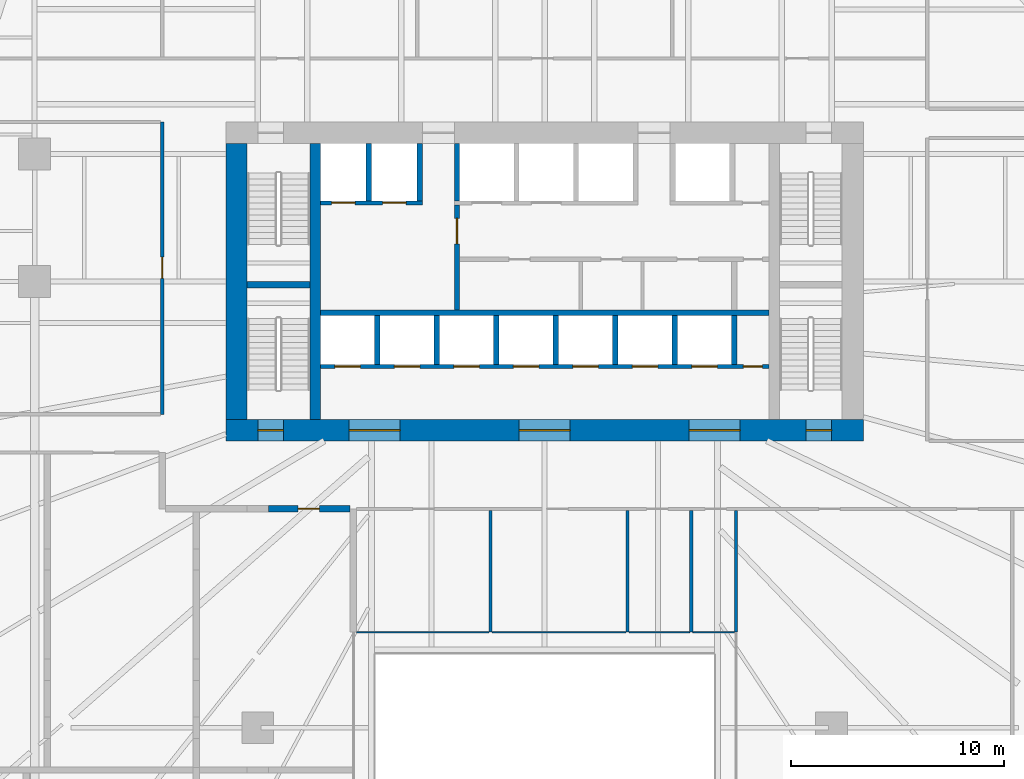
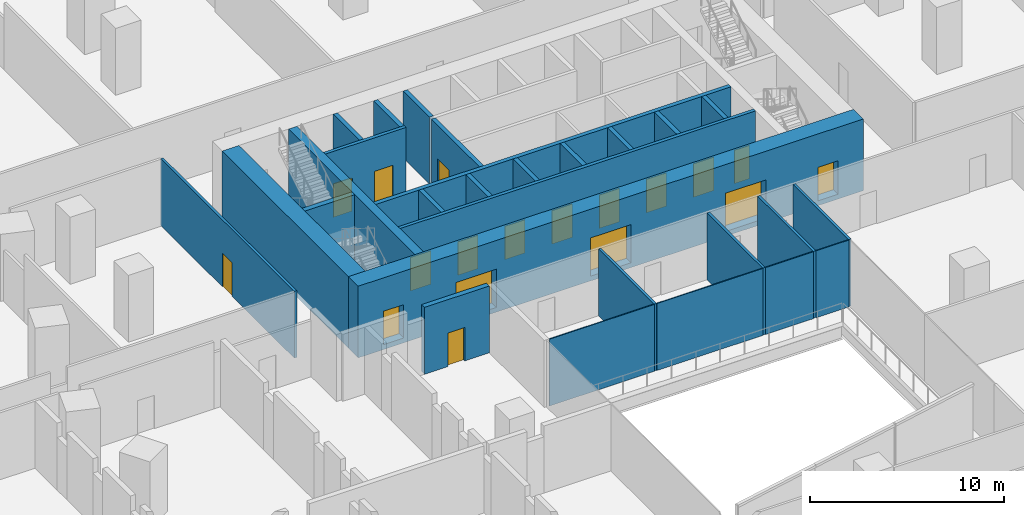
# One storey, part 16 of 33: 28 walls, 18 doors, 18 openings.
"""IFC4 building model written with IfcOpenShell, lengths in metres."""

from ifc_helpers import new_model, si_unit, direction, frame, frame_2d, origin, place, context, subcontext, project, spatial, rectangle, extrude, material, layer, layer_set, type_object, element, fill, save


model = new_model("IFC4")

# Units and contexts
model_context = context("Model", 3, precision=1e-05, world=origin(), true_north=direction((0.0, 1.0)))
body_context = subcontext(model_context, "Body", "Model", "MODEL_VIEW")
ifc_project = project(units=[si_unit("LENGTHUNIT", "METRE"), si_unit("AREAUNIT", "SQUARE_METRE"), si_unit("VOLUMEUNIT", "CUBIC_METRE"), si_unit("PLANEANGLEUNIT", "RADIAN"), si_unit("MASSUNIT", "GRAM", prefix="KILO")], contexts=[model_context])

# Site, building, storey
site_placement = place(None, origin())
site = spatial("IfcSite", under=ifc_project, at=site_placement, CompositionType="ELEMENT")
building_placement = place(site_placement, origin())
building = spatial("IfcBuilding", under=site, at=building_placement, Name="Isthmus Gate Tower", CompositionType="ELEMENT")
storey_placement = place(building_placement, frame((0.0, 0.0, 22.5)))
storey = spatial("IfcBuildingStorey", under=building, at=storey_placement, Name="L03", CompositionType="ELEMENT", Elevation=22.5)

# Wall, opening, door
ifc_material_1 = material(Name="Double-leaf gypsum board with mineral wool, resilient mounted")
ifc_layer_1 = layer(ifc_material_1, 0.300048828125)
ifc_layer_set_1 = layer_set([ifc_layer_1], Name="Acoustic studio wall 300 double leaf")
wall_type_1 = type_object("IfcWallType", Name="Acoustic studio wall 300 double leaf", PredefinedType="PARTITIONING", material=ifc_layer_set_1)
wall_1_placement = place(storey_placement, frame((-13.0, -3.199951171875, 0.0), z_axis=(0.0, 0.0, 1.0), x_axis=(1.0, 0.0, 0.0)))
wall_1 = element("IfcWall", 1, at=wall_1_placement, inside=storey, type_object=wall_type_1, Name="Acoustic studio wall", PredefinedType="PARTITIONING", context=body_context, shape_type="SweptSolid", body=[
    extrude(rectangle(XDim=3.85009765625, YDim=0.300048828125, at=frame_2d((1.925048828125, 0.0))), origin(), (0.0, 0.0, 1.0), 4.199951171875),
])
opening_1_placement = place(wall_1_placement, frame((1.39990234375, 0.0, 0.0)))
opening_1 = element("IfcOpeningElement", 2, at=opening_1_placement, cuts=wall_1, Name="Opening DP03-13", PredefinedType="OPENING", context=body_context, shape_type="SweptSolid", body=[
    extrude(rectangle(XDim=1.0, YDim=2.10009765625, at=frame_2d((0.5, 1.050048828125))), frame((0.0, 0.159912109375, 0.0), z_axis=(0.0, -1.0, 0.0), x_axis=(1.0, 0.0, 0.0)), (0.0, 0.0, 1.0), 0.320068359375),
])
ifc_material_2 = material(Name="Hollow metal frame with solid-core timber leaf", Category="wood")
door_type_1 = type_object("IfcDoorType", Name="Single swing door 1000 x 2100", OperationType="SINGLE_SWING_LEFT", PredefinedType="DOOR", material=ifc_material_2)
door_1_placement = place(opening_1_placement, origin())
door_1 = element("IfcDoor", 3, at=door_1_placement, inside=storey, type_object=door_type_1, Name="Door DP03-13", OperationType="SINGLE_SWING_LEFT", OverallHeight=2.10009765625, OverallWidth=1.0, PredefinedType="DOOR", context=body_context, shape_type="SweptSolid", body=[
    extrude(rectangle(XDim=1.0, YDim=2.10009765625, at=frame_2d((0.5, 1.050048828125))), frame((0.0, 0.02490234375, 0.0), z_axis=(0.0, -1.0, 0.0), x_axis=(1.0, 0.0, 0.0)), (0.0, 0.0, 1.0), 0.050048828125),
])
fill(opening_1, door_1)

ifc_material_3 = material(Name="Fire-rated blockwork masonry, 15 MPa", Category="masonry")
ifc_layer_2 = layer(ifc_material_3, 0.25)
ifc_layer_set_2 = layer_set([ifc_layer_2], Name="FIRE-FIGHTING LOBBY WALL 250 90 MIN")
wall_type_2 = type_object("IfcWallType", Name="FIRE-FIGHTING LOBBY WALL 250 90 MIN", PredefinedType="PARTITIONING", material=ifc_layer_set_2)
wall_2_placement = place(storey_placement, frame((-4.125, 6.14990234375, 0.0), z_axis=(0.0, 0.0, 1.0), x_axis=(0.0, 1.0, 0.0)))
wall_2 = element("IfcWall", 4, at=wall_2_placement, inside=storey, type_object=wall_type_2, Name="L03 FIRE-FIGHTING LOBBY WALL 250 90 MIN", PredefinedType="PARTITIONING", context=body_context, shape_type="SweptSolid", body=[
    extrude(rectangle(XDim=4.9501953125, YDim=0.25, at=frame_2d((2.47509765625, 0.0))), origin(), (0.0, 0.0, 1.0), 4.199951171875),
])
opening_2_placement = place(wall_2_placement, frame((3.125, 0.0, 0.0)))
opening_2 = element("IfcOpeningElement", 5, at=opening_2_placement, cuts=wall_2, Name="Opening DC-A04-01", PredefinedType="OPENING", context=body_context, shape_type="SweptSolid", body=[
    extrude(rectangle(XDim=1.199951171875, YDim=2.10009765625, at=frame_2d((0.60009765625, 1.050048828125))), frame((0.0, 0.135009765625, 0.0), z_axis=(0.0, -1.0, 0.0), x_axis=(1.0, 0.0, 0.0)), (0.0, 0.0, 1.0), 0.27001953125),
])
ifc_material_4 = material(Name="Steel door leaf, fire-rated", Category="steel")
door_type_2 = type_object("IfcDoorType", Name="LOBBY FIRE DOOR 1200 X 2100 90 MIN", OperationType="DOUBLE_DOOR_SINGLE_SWING", PredefinedType="DOOR", material=ifc_material_4)
door_2_placement = place(opening_2_placement, origin())
door_2 = element("IfcDoor", 6, at=door_2_placement, inside=storey, type_object=door_type_2, Name="Fire-fighting Lobby Door", OperationType="SINGLE_SWING_LEFT", OverallHeight=2.10009765625, OverallWidth=1.199951171875, PredefinedType="DOOR", context=body_context, shape_type="SweptSolid", body=[
    extrude(rectangle(XDim=1.199951171875, YDim=2.10009765625, at=frame_2d((0.60009765625, 1.050048828125))), frame((0.0, 0.02490234375, 0.0), z_axis=(0.0, -1.0, 0.0), x_axis=(1.0, 0.0, 0.0)), (0.0, 0.0, 1.0), 0.050048828125),
])
fill(opening_2, door_2)

# Walls
ifc_material_5 = material(Name="Fire-rated laminated glass in steel frame", Category="steel")
ifc_layer_3 = layer(ifc_material_5, 0.06005859375)
ifc_layer_set_3 = layer_set([ifc_layer_3], Name="Fire-rated glazed atrium screen 60")
wall_type_3 = type_object("IfcWallType", Name="Fire-rated glazed atrium screen 60", PredefinedType="PARTITIONING", material=ifc_layer_set_3)
wall_3_placement = place(storey_placement, frame((-8.85009765625, -9.0, 0.0), z_axis=(0.0, 0.0, 1.0), x_axis=(1.0, 0.0, 0.0)))
element("IfcWall", 7, at=wall_3_placement, inside=storey, type_object=wall_type_3, Name="Atrium screen", PredefinedType="PARTITIONING", context=body_context, shape_type="SweptSolid", body=[
    extrude(rectangle(XDim=6.22509765625, YDim=0.06005859375, at=frame_2d((3.112548828125, 0.0))), origin(), (0.0, 0.0, 1.0), 4.199951171875),
])
wall_4_placement = place(storey_placement, frame((-2.47509765625, -9.0, 0.0), z_axis=(0.0, 0.0, 1.0), x_axis=(1.0, 0.0, 0.0)))
element("IfcWall", 8, at=wall_4_placement, inside=storey, type_object=wall_type_3, Name="Atrium screen", PredefinedType="PARTITIONING", context=body_context, shape_type="SweptSolid", body=[
    extrude(rectangle(XDim=6.300048828125, YDim=0.06005859375, at=frame_2d((3.14990234375, 0.0))), origin(), (0.0, 0.0, 1.0), 4.199951171875),
])
wall_5_placement = place(storey_placement, frame((3.97509765625, -9.0, 0.0), z_axis=(0.0, 0.0, 1.0), x_axis=(1.0, 0.0, 0.0)))
element("IfcWall", 9, at=wall_5_placement, inside=storey, type_object=wall_type_3, Name="Atrium screen", PredefinedType="PARTITIONING", context=body_context, shape_type="SweptSolid", body=[
    extrude(rectangle(XDim=2.849853515625, YDim=0.06005859375, at=frame_2d((1.4248046875, 0.0))), origin(), (0.0, 0.0, 1.0), 4.199951171875),
])
wall_6_placement = place(storey_placement, frame((6.97509765625, -9.0, 0.0), z_axis=(0.0, 0.0, 1.0), x_axis=(1.0, 0.0, 0.0)))
element("IfcWall", 10, at=wall_6_placement, inside=storey, type_object=wall_type_3, Name="Atrium screen", PredefinedType="PARTITIONING", context=body_context, shape_type="SweptSolid", body=[
    extrude(rectangle(XDim=1.949951171875, YDim=0.06005859375, at=frame_2d((0.97509765625, 0.0))), origin(), (0.0, 0.0, 1.0), 4.199951171875),
])

# Wall, opening, door
ifc_material_6 = material(Name="Gypsum board on cold-formed steel studs", Category="steel")
ifc_layer_4 = layer(ifc_material_6, 0.14990234375)
ifc_layer_set_4 = layer_set([ifc_layer_4])
wall_type_4 = type_object("IfcWallType", Name="Partition 150 gypsum board on steel studs", PredefinedType="PARTITIONING", material=ifc_layer_set_4)
wall_7_placement = place(storey_placement, frame((-18.0, 1.251220703125, 0.0), z_axis=(0.0, 0.0, 1.0), x_axis=(0.0, 1.0, 0.0)))
wall_7 = element("IfcWall", 11, at=wall_7_placement, inside=storey, type_object=wall_type_4, Name="Partition", PredefinedType="PARTITIONING", context=body_context, shape_type="SweptSolid", body=[
    extrude(rectangle(XDim=13.748779296875, YDim=0.14990234375, at=frame_2d((6.87451171875, 0.0))), origin(), (0.0, 0.0, 1.0), 4.199951171875),
])
opening_3_placement = place(wall_7_placement, frame((6.39990234375, 0.0, 0.0)))
opening_3 = element("IfcOpeningElement", 12, at=opening_3_placement, cuts=wall_7, Name="Opening DP03-42", PredefinedType="OPENING", context=body_context, shape_type="SweptSolid", body=[
    extrude(rectangle(XDim=1.0, YDim=2.10009765625, at=frame_2d((0.5, 1.050048828125))), frame((0.0, 0.0849609375, 0.0), z_axis=(0.0, -1.0, 0.0), x_axis=(1.0, 0.0, 0.0)), (0.0, 0.0, 1.0), 0.169921875),
])
door_3_placement = place(opening_3_placement, origin())
door_3 = element("IfcDoor", 13, at=door_3_placement, inside=storey, type_object=door_type_1, Name="Door DP03-42", OperationType="SINGLE_SWING_LEFT", OverallHeight=2.10009765625, OverallWidth=1.0, PredefinedType="DOOR", context=body_context, shape_type="SweptSolid", body=[
    extrude(rectangle(XDim=1.0, YDim=2.10009765625, at=frame_2d((0.5, 1.050048828125))), frame((0.0, 0.02490234375, 0.0), z_axis=(0.0, -1.0, 0.0), x_axis=(1.0, 0.0, 0.0)), (0.0, 0.0, 1.0), 0.050048828125),
])
fill(opening_3, door_3)

# Walls
for number, where, z_axis, x_axis, name in (
    (14, (-2.550048828125, -9.0, 0.0), (0.0, 0.0, 1.0), (0.0, 1.0, 0.0), "Partition"),
    (15, (3.89990234375, -9.0, 0.0), (0.0, 0.0, 1.0), (0.0, 1.0, 0.0), "Partition"),
    (16, (6.89990234375, -9.0, 0.0), (0.0, 0.0, 1.0), (0.0, 1.0, 0.0), "Partition"),
    (17, (9.0, -9.0, 0.0), (0.0, 0.0, 1.0), (0.0, 1.0, 0.0), "Partition"),
):
    element("IfcWall", number, at=place(storey_placement, frame(where, z_axis=z_axis, x_axis=x_axis)), inside=storey, type_object=wall_type_4, Name=name, PredefinedType="PARTITIONING", context=body_context, shape_type="SweptSolid", body=[
        extrude(rectangle(XDim=5.72509765625, YDim=0.14990234375, at=frame_2d((2.862548828125, 0.0))), origin(), (0.0, 0.0, 1.0), 4.199951171875),
    ])
ifc_material_7 = material(Name="Concrete f'c 70 MPa", Category="concrete")
ifc_layer_5 = layer(ifc_material_7, 0.5)
ifc_layer_set_5 = layer_set([ifc_layer_5], Name="RC CORE SPINE WALL 500 F'C 70")
wall_type_5 = type_object("IfcWallType", Name="RC CORE SPINE WALL 500 F'C 70", PredefinedType="SOLIDWALL", material=ifc_layer_set_5)
wall_8_placement = place(storey_placement, frame((-10.800048828125, 1.0, -0.300048828125), z_axis=(0.0, 0.0, 1.0), x_axis=(0.0, 1.0, 0.0)))
element("IfcWall", 18, at=wall_8_placement, inside=storey, type_object=wall_type_5, Name="str-corewall-L03-SPW", PredefinedType="SOLIDWALL", context=body_context, shape_type="SweptSolid", body=[
    extrude(rectangle(XDim=13.0, YDim=0.5, at=frame_2d((6.5, 0.0))), origin(), (0.0, 0.0, 1.0), 4.5),
])

# Wall, openings, doors
ifc_material_8 = material(Name="Concrete f'c 70 MPa", Category="concrete")
ifc_layer_6 = layer(ifc_material_8, 1.0)
ifc_layer_set_6 = layer_set([ifc_layer_6], Name="RC CORE WALL 1000 F'C 70")
wall_type_6 = type_object("IfcWallType", Name="RC CORE WALL 1000 F'C 70", PredefinedType="SOLIDWALL", material=ifc_layer_set_6)
wall_9_placement = place(storey_placement, frame((-15.0, 0.5, -0.300048828125), z_axis=(0.0, 0.0, 1.0), x_axis=(1.0, 0.0, 0.0)))
wall_9 = element("IfcWall", 19, at=wall_9_placement, inside=storey, type_object=wall_type_6, Name="str-corewall-L03-S", PredefinedType="SOLIDWALL", context=body_context, shape_type="SweptSolid", body=[
    extrude(rectangle(XDim=30.0, YDim=1.0, at=frame_2d((15.0, 0.0))), origin(), (0.0, 0.0, 1.0), 4.5),
])
opening_4_placement = place(wall_9_placement, frame((5.800048828125, 0.0, 0.300048828125)))
opening_4 = element("IfcOpeningElement", 20, at=opening_4_placement, cuts=wall_9, Name="Opening DC-A04-08", PredefinedType="OPENING", context=body_context, shape_type="SweptSolid", body=[
    extrude(rectangle(XDim=2.39990234375, YDim=2.39990234375, at=frame_2d((1.199951171875, 1.199951171875))), frame((0.0, 0.510009765625, 0.0), z_axis=(0.0, -1.0, 0.0), x_axis=(1.0, 0.0, 0.0)), (0.0, 0.0, 1.0), 1.02001953125),
])
opening_5_placement = place(wall_9_placement, frame((13.800048828125, 0.0, 0.300048828125)))
opening_5 = element("IfcOpeningElement", 21, at=opening_5_placement, cuts=wall_9, Name="Opening DC-A04-09", PredefinedType="OPENING", context=body_context, shape_type="SweptSolid", body=[
    extrude(rectangle(XDim=2.39990234375, YDim=2.39990234375, at=frame_2d((1.199951171875, 1.199951171875))), frame((0.0, 0.510009765625, 0.0), z_axis=(0.0, -1.0, 0.0), x_axis=(1.0, 0.0, 0.0)), (0.0, 0.0, 1.0), 1.02001953125),
])
opening_6_placement = place(wall_9_placement, frame((21.800048828125, 0.0, 0.300048828125)))
opening_6 = element("IfcOpeningElement", 22, at=opening_6_placement, cuts=wall_9, Name="Opening DC-A04-10", PredefinedType="OPENING", context=body_context, shape_type="SweptSolid", body=[
    extrude(rectangle(XDim=2.39990234375, YDim=2.39990234375, at=frame_2d((1.199951171875, 1.199951171875))), frame((0.0, 0.510009765625, 0.0), z_axis=(0.0, -1.0, 0.0), x_axis=(1.0, 0.0, 0.0)), (0.0, 0.0, 1.0), 1.02001953125),
])
opening_7_placement = place(wall_9_placement, frame((1.5, 0.0, 0.300048828125)))
opening_7 = element("IfcOpeningElement", 23, at=opening_7_placement, cuts=wall_9, Name="Opening DC-A04-15", PredefinedType="OPENING", context=body_context, shape_type="SweptSolid", body=[
    extrude(rectangle(XDim=1.199951171875, YDim=2.10009765625, at=frame_2d((0.60009765625, 1.050048828125))), frame((0.0, 0.510009765625, 0.0), z_axis=(0.0, -1.0, 0.0), x_axis=(1.0, 0.0, 0.0)), (0.0, 0.0, 1.0), 1.02001953125),
])
opening_8_placement = place(wall_9_placement, frame((27.300048828125, 0.0, 0.300048828125)))
opening_8 = element("IfcOpeningElement", 24, at=opening_8_placement, cuts=wall_9, Name="Opening DC-A04-16", PredefinedType="OPENING", context=body_context, shape_type="SweptSolid", body=[
    extrude(rectangle(XDim=1.199951171875, YDim=2.10009765625, at=frame_2d((0.60009765625, 1.050048828125))), frame((0.0, 0.510009765625, 0.0), z_axis=(0.0, -1.0, 0.0), x_axis=(1.0, 0.0, 0.0)), (0.0, 0.0, 1.0), 1.02001953125),
])
ifc_material_9 = material(Name="Laminated safety glass in steel frame, fire-rated", Category="steel")
door_type_3 = type_object("IfcDoorType", Name="LOBBY ENTRANCE FIRE DOOR 2400 X 2400 60 MIN", OperationType="DOUBLE_DOOR_DOUBLE_SWING", PredefinedType="DOOR", material=ifc_material_9)
door_4_placement = place(opening_4_placement, origin())
door_4 = element("IfcDoor", 25, at=door_4_placement, inside=storey, type_object=door_type_3, Name="Lobby Entrance PS-W", OperationType="DOUBLE_DOOR_DOUBLE_SWING", OverallHeight=2.39990234375, OverallWidth=2.39990234375, PredefinedType="DOOR", context=body_context, shape_type="SweptSolid", body=[
    extrude(rectangle(XDim=2.39990234375, YDim=2.39990234375, at=frame_2d((1.199951171875, 1.199951171875))), frame((0.0, 0.02490234375, 0.0), z_axis=(0.0, -1.0, 0.0), x_axis=(1.0, 0.0, 0.0)), (0.0, 0.0, 1.0), 0.050048828125),
])
fill(opening_4, door_4)
door_5_placement = place(opening_5_placement, origin())
door_5 = element("IfcDoor", 26, at=door_5_placement, inside=storey, type_object=door_type_3, Name="Lobby Entrance PS-C", OperationType="DOUBLE_DOOR_DOUBLE_SWING", OverallHeight=2.39990234375, OverallWidth=2.39990234375, PredefinedType="DOOR", context=body_context, shape_type="SweptSolid", body=[
    extrude(rectangle(XDim=2.39990234375, YDim=2.39990234375, at=frame_2d((1.199951171875, 1.199951171875))), frame((0.0, 0.02490234375, 0.0), z_axis=(0.0, -1.0, 0.0), x_axis=(1.0, 0.0, 0.0)), (0.0, 0.0, 1.0), 0.050048828125),
])
fill(opening_5, door_5)
door_6_placement = place(opening_6_placement, origin())
door_6 = element("IfcDoor", 27, at=door_6_placement, inside=storey, type_object=door_type_3, Name="Lobby Entrance PS-E", OperationType="DOUBLE_DOOR_DOUBLE_SWING", OverallHeight=2.39990234375, OverallWidth=2.39990234375, PredefinedType="DOOR", context=body_context, shape_type="SweptSolid", body=[
    extrude(rectangle(XDim=2.39990234375, YDim=2.39990234375, at=frame_2d((1.199951171875, 1.199951171875))), frame((0.0, 0.02490234375, 0.0), z_axis=(0.0, -1.0, 0.0), x_axis=(1.0, 0.0, 0.0)), (0.0, 0.0, 1.0), 0.050048828125),
])
fill(opening_6, door_6)
ifc_material_10 = material(Name="Steel door leaf, fire-rated", Category="steel")
door_type_4 = type_object("IfcDoorType", Name="STAIR FIRE DOOR 1200 X 2100 90 MIN", OperationType="SINGLE_SWING_LEFT", PredefinedType="DOOR", material=ifc_material_10)
door_7_placement = place(opening_7_placement, origin())
door_7 = element("IfcDoor", 28, at=door_7_placement, inside=storey, type_object=door_type_4, Name="Exit Stair 7 Door", OperationType="SINGLE_SWING_LEFT", OverallHeight=2.10009765625, OverallWidth=1.199951171875, PredefinedType="DOOR", context=body_context, shape_type="SweptSolid", body=[
    extrude(rectangle(XDim=1.199951171875, YDim=2.10009765625, at=frame_2d((0.60009765625, 1.050048828125))), frame((0.0, 0.02490234375, 0.0), z_axis=(0.0, -1.0, 0.0), x_axis=(1.0, 0.0, 0.0)), (0.0, 0.0, 1.0), 0.050048828125),
])
fill(opening_7, door_7)
door_8_placement = place(opening_8_placement, origin())
door_8 = element("IfcDoor", 29, at=door_8_placement, inside=storey, type_object=door_type_4, Name="Exit Stair 8 Door", OperationType="SINGLE_SWING_RIGHT", OverallHeight=2.10009765625, OverallWidth=1.199951171875, PredefinedType="DOOR", context=body_context, shape_type="SweptSolid", body=[
    extrude(rectangle(XDim=1.199951171875, YDim=2.10009765625, at=frame_2d((0.60009765625, 1.050048828125))), frame((0.0, 0.02490234375, 0.0), z_axis=(0.0, -1.0, 0.0), x_axis=(1.0, 0.0, 0.0)), (0.0, 0.0, 1.0), 0.050048828125),
])
fill(opening_8, door_8)

# Wall
wall_10_placement = place(storey_placement, frame((-14.5, 1.0, -0.300048828125), z_axis=(0.0, 0.0, 1.0), x_axis=(0.0, 1.0, 0.0)))
element("IfcWall", 30, at=wall_10_placement, inside=storey, type_object=wall_type_6, Name="str-corewall-L03-W", PredefinedType="SOLIDWALL", context=body_context, shape_type="SweptSolid", body=[
    extrude(rectangle(XDim=13.0, YDim=1.0, at=frame_2d((6.5, 0.0))), origin(), (0.0, 0.0, 1.0), 4.5),
])

# Wall, openings, doors
ifc_material_11 = material(Name="Fire-rated blockwork masonry, 15 MPa", Category="masonry")
ifc_layer_7 = layer(ifc_material_11, 0.199951171875)
ifc_layer_set_7 = layer_set([ifc_layer_7], Name="SHAFT FRONT WALL 200 120 MIN")
wall_type_7 = type_object("IfcWallType", Name="SHAFT FRONT WALL 200 120 MIN", PredefinedType="PARTITIONING", material=ifc_layer_set_7)
wall_11_placement = place(storey_placement, frame((-10.550048828125, 3.5, 0.0), z_axis=(0.0, 0.0, 1.0), x_axis=(1.0, 0.0, 0.0)))
wall_11 = element("IfcWall", 31, at=wall_11_placement, inside=storey, type_object=wall_type_7, Name="L03 SHAFT FRONT WALL 200 120 MIN", PredefinedType="PARTITIONING", context=body_context, shape_type="SweptSolid", body=[
    extrude(rectangle(XDim=21.10009765625, YDim=0.199951171875, at=frame_2d((10.550048828125, 0.0))), origin(), (0.0, 0.0, 1.0), 4.199951171875),
])
opening_9_placement = place(wall_11_placement, frame((0.675048828125, 0.0, 0.0)))
opening_9 = element("IfcOpeningElement", 32, at=opening_9_placement, cuts=wall_11, Name="Opening LD-LA1", PredefinedType="OPENING", context=body_context, shape_type="SweptSolid", body=[
    extrude(rectangle(XDim=1.199951171875, YDim=2.10009765625, at=frame_2d((0.60009765625, 1.050048828125))), frame((0.0, 0.10986328125, 0.0), z_axis=(0.0, -1.0, 0.0), x_axis=(1.0, 0.0, 0.0)), (0.0, 0.0, 1.0), 0.219970703125),
])
opening_10_placement = place(wall_11_placement, frame((3.47509765625, 0.0, 0.0)))
opening_10 = element("IfcOpeningElement", 33, at=opening_10_placement, cuts=wall_11, Name="Opening LD-LA2", PredefinedType="OPENING", context=body_context, shape_type="SweptSolid", body=[
    extrude(rectangle(XDim=1.199951171875, YDim=2.10009765625, at=frame_2d((0.60009765625, 1.050048828125))), frame((0.0, 0.10986328125, 0.0), z_axis=(0.0, -1.0, 0.0), x_axis=(1.0, 0.0, 0.0)), (0.0, 0.0, 1.0), 0.219970703125),
])
opening_11_placement = place(wall_11_placement, frame((6.27490234375, 0.0, 0.0)))
opening_11 = element("IfcOpeningElement", 34, at=opening_11_placement, cuts=wall_11, Name="Opening LD-LA3", PredefinedType="OPENING", context=body_context, shape_type="SweptSolid", body=[
    extrude(rectangle(XDim=1.199951171875, YDim=2.10009765625, at=frame_2d((0.60009765625, 1.050048828125))), frame((0.0, 0.10986328125, 0.0), z_axis=(0.0, -1.0, 0.0), x_axis=(1.0, 0.0, 0.0)), (0.0, 0.0, 1.0), 0.219970703125),
])
opening_12_placement = place(wall_11_placement, frame((9.074951171875, 0.0, 0.0)))
opening_12 = element("IfcOpeningElement", 35, at=opening_12_placement, cuts=wall_11, Name="Opening LD-LA4", PredefinedType="OPENING", context=body_context, shape_type="SweptSolid", body=[
    extrude(rectangle(XDim=1.199951171875, YDim=2.10009765625, at=frame_2d((0.60009765625, 1.050048828125))), frame((0.0, 0.10986328125, 0.0), z_axis=(0.0, -1.0, 0.0), x_axis=(1.0, 0.0, 0.0)), (0.0, 0.0, 1.0), 0.219970703125),
])
opening_13_placement = place(wall_11_placement, frame((11.875, 0.0, 0.0)))
opening_13 = element("IfcOpeningElement", 36, at=opening_13_placement, cuts=wall_11, Name="Opening LD-LA5", PredefinedType="OPENING", context=body_context, shape_type="SweptSolid", body=[
    extrude(rectangle(XDim=1.199951171875, YDim=2.10009765625, at=frame_2d((0.60009765625, 1.050048828125))), frame((0.0, 0.10986328125, 0.0), z_axis=(0.0, -1.0, 0.0), x_axis=(1.0, 0.0, 0.0)), (0.0, 0.0, 1.0), 0.219970703125),
])
opening_14_placement = place(wall_11_placement, frame((14.675048828125, 0.0, 0.0)))
opening_14 = element("IfcOpeningElement", 37, at=opening_14_placement, cuts=wall_11, Name="Opening LD-LA6", PredefinedType="OPENING", context=body_context, shape_type="SweptSolid", body=[
    extrude(rectangle(XDim=1.199951171875, YDim=2.10009765625, at=frame_2d((0.60009765625, 1.050048828125))), frame((0.0, 0.10986328125, 0.0), z_axis=(0.0, -1.0, 0.0), x_axis=(1.0, 0.0, 0.0)), (0.0, 0.0, 1.0), 0.219970703125),
])
opening_15_placement = place(wall_11_placement, frame((17.47509765625, 0.0, 0.0)))
opening_15 = element("IfcOpeningElement", 38, at=opening_15_placement, cuts=wall_11, Name="Opening LD-LA7", PredefinedType="OPENING", context=body_context, shape_type="SweptSolid", body=[
    extrude(rectangle(XDim=1.199951171875, YDim=2.10009765625, at=frame_2d((0.60009765625, 1.050048828125))), frame((0.0, 0.10986328125, 0.0), z_axis=(0.0, -1.0, 0.0), x_axis=(1.0, 0.0, 0.0)), (0.0, 0.0, 1.0), 0.219970703125),
])
opening_16_placement = place(wall_11_placement, frame((19.89990234375, 0.0, 0.0)))
opening_16 = element("IfcOpeningElement", 39, at=opening_16_placement, cuts=wall_11, Name="Opening DC-A04-02", PredefinedType="OPENING", context=body_context, shape_type="SweptSolid", body=[
    extrude(rectangle(XDim=0.89990234375, YDim=2.10009765625, at=frame_2d((0.449951171875, 1.050048828125))), frame((0.0, 0.10986328125, 0.0), z_axis=(0.0, -1.0, 0.0), x_axis=(1.0, 0.0, 0.0)), (0.0, 0.0, 1.0), 0.219970703125),
])
ifc_material_12 = material(Name="Stainless steel sliding leaf", Category="steel")
door_type_5 = type_object("IfcDoorType", Name="LIFT LANDING FIRE DOOR 1200 X 2100 90 MIN", OperationType="DOUBLE_DOOR_SLIDING", PredefinedType="DOOR", material=ifc_material_12)
door_9_placement = place(opening_9_placement, origin())
door_9 = element("IfcDoor", 40, at=door_9_placement, inside=storey, type_object=door_type_5, Name="Lift Landing Door LA1", OperationType="DOUBLE_DOOR_SLIDING", OverallHeight=2.10009765625, OverallWidth=1.199951171875, PredefinedType="DOOR", context=body_context, shape_type="SweptSolid", body=[
    extrude(rectangle(XDim=1.199951171875, YDim=2.10009765625, at=frame_2d((0.60009765625, 1.050048828125))), frame((0.0, 0.02490234375, 0.0), z_axis=(0.0, -1.0, 0.0), x_axis=(1.0, 0.0, 0.0)), (0.0, 0.0, 1.0), 0.050048828125),
])
fill(opening_9, door_9)
door_10_placement = place(opening_10_placement, origin())
door_10 = element("IfcDoor", 41, at=door_10_placement, inside=storey, type_object=door_type_5, Name="Lift Landing Door LA2", OperationType="DOUBLE_DOOR_SLIDING", OverallHeight=2.10009765625, OverallWidth=1.199951171875, PredefinedType="DOOR", context=body_context, shape_type="SweptSolid", body=[
    extrude(rectangle(XDim=1.199951171875, YDim=2.10009765625, at=frame_2d((0.60009765625, 1.050048828125))), frame((0.0, 0.02490234375, 0.0), z_axis=(0.0, -1.0, 0.0), x_axis=(1.0, 0.0, 0.0)), (0.0, 0.0, 1.0), 0.050048828125),
])
fill(opening_10, door_10)
door_11_placement = place(opening_11_placement, origin())
door_11 = element("IfcDoor", 42, at=door_11_placement, inside=storey, type_object=door_type_5, Name="Lift Landing Door LA3", OperationType="DOUBLE_DOOR_SLIDING", OverallHeight=2.10009765625, OverallWidth=1.199951171875, PredefinedType="DOOR", context=body_context, shape_type="SweptSolid", body=[
    extrude(rectangle(XDim=1.199951171875, YDim=2.10009765625, at=frame_2d((0.60009765625, 1.050048828125))), frame((0.0, 0.02490234375, 0.0), z_axis=(0.0, -1.0, 0.0), x_axis=(1.0, 0.0, 0.0)), (0.0, 0.0, 1.0), 0.050048828125),
])
fill(opening_11, door_11)
door_12_placement = place(opening_12_placement, origin())
door_12 = element("IfcDoor", 43, at=door_12_placement, inside=storey, type_object=door_type_5, Name="Lift Landing Door LA4", OperationType="DOUBLE_DOOR_SLIDING", OverallHeight=2.10009765625, OverallWidth=1.199951171875, PredefinedType="DOOR", context=body_context, shape_type="SweptSolid", body=[
    extrude(rectangle(XDim=1.199951171875, YDim=2.10009765625, at=frame_2d((0.60009765625, 1.050048828125))), frame((0.0, 0.02490234375, 0.0), z_axis=(0.0, -1.0, 0.0), x_axis=(1.0, 0.0, 0.0)), (0.0, 0.0, 1.0), 0.050048828125),
])
fill(opening_12, door_12)
door_13_placement = place(opening_13_placement, origin())
door_13 = element("IfcDoor", 44, at=door_13_placement, inside=storey, type_object=door_type_5, Name="Lift Landing Door LA5", OperationType="DOUBLE_DOOR_SLIDING", OverallHeight=2.10009765625, OverallWidth=1.199951171875, PredefinedType="DOOR", context=body_context, shape_type="SweptSolid", body=[
    extrude(rectangle(XDim=1.199951171875, YDim=2.10009765625, at=frame_2d((0.60009765625, 1.050048828125))), frame((0.0, 0.02490234375, 0.0), z_axis=(0.0, -1.0, 0.0), x_axis=(1.0, 0.0, 0.0)), (0.0, 0.0, 1.0), 0.050048828125),
])
fill(opening_13, door_13)
door_14_placement = place(opening_14_placement, origin())
door_14 = element("IfcDoor", 45, at=door_14_placement, inside=storey, type_object=door_type_5, Name="Lift Landing Door LA6", OperationType="DOUBLE_DOOR_SLIDING", OverallHeight=2.10009765625, OverallWidth=1.199951171875, PredefinedType="DOOR", context=body_context, shape_type="SweptSolid", body=[
    extrude(rectangle(XDim=1.199951171875, YDim=2.10009765625, at=frame_2d((0.60009765625, 1.050048828125))), frame((0.0, 0.02490234375, 0.0), z_axis=(0.0, -1.0, 0.0), x_axis=(1.0, 0.0, 0.0)), (0.0, 0.0, 1.0), 0.050048828125),
])
fill(opening_14, door_14)
door_15_placement = place(opening_15_placement, origin())
door_15 = element("IfcDoor", 46, at=door_15_placement, inside=storey, type_object=door_type_5, Name="Lift Landing Door LA7", OperationType="DOUBLE_DOOR_SLIDING", OverallHeight=2.10009765625, OverallWidth=1.199951171875, PredefinedType="DOOR", context=body_context, shape_type="SweptSolid", body=[
    extrude(rectangle(XDim=1.199951171875, YDim=2.10009765625, at=frame_2d((0.60009765625, 1.050048828125))), frame((0.0, 0.02490234375, 0.0), z_axis=(0.0, -1.0, 0.0), x_axis=(1.0, 0.0, 0.0)), (0.0, 0.0, 1.0), 0.050048828125),
])
fill(opening_15, door_15)
ifc_material_13 = material(Name="Steel door leaf, fire-rated", Category="steel")
door_type_6 = type_object("IfcDoorType", Name="RISER FIRE DOOR 900 X 2100 90 MIN", OperationType="SINGLE_SWING_LEFT", PredefinedType="DOOR", material=ifc_material_13)
door_16_placement = place(opening_16_placement, origin())
door_16 = element("IfcDoor", 47, at=door_16_placement, inside=storey, type_object=door_type_6, Name="Riser Door", OperationType="SINGLE_SWING_RIGHT", OverallHeight=2.10009765625, OverallWidth=0.89990234375, PredefinedType="DOOR", context=body_context, shape_type="SweptSolid", body=[
    extrude(rectangle(XDim=0.89990234375, YDim=2.10009765625, at=frame_2d((0.449951171875, 1.050048828125))), frame((0.0, 0.02490234375, 0.0), z_axis=(0.0, -1.0, 0.0), x_axis=(1.0, 0.0, 0.0)), (0.0, 0.0, 1.0), 0.050048828125),
])
fill(opening_16, door_16)

wall_12_placement = place(storey_placement, frame((-10.550048828125, 11.199951171875, 0.0), z_axis=(0.0, 0.0, 1.0), x_axis=(1.0, 0.0, 0.0)))
wall_12 = element("IfcWall", 48, at=wall_12_placement, inside=storey, type_object=wall_type_7, Name="L03 SHAFT FRONT WALL 200 120 MIN", PredefinedType="PARTITIONING", context=body_context, shape_type="SweptSolid", body=[
    extrude(rectangle(XDim=4.800048828125, YDim=0.199951171875, at=frame_2d((2.39990234375, 0.0))), origin(), (0.0, 0.0, 1.0), 4.199951171875),
])
opening_17_placement = place(wall_12_placement, frame((0.52490234375, 0.0, 0.0)))
opening_17 = element("IfcOpeningElement", 49, at=opening_17_placement, cuts=wall_12, Name="Opening LD-LF1", PredefinedType="OPENING", context=body_context, shape_type="SweptSolid", body=[
    extrude(rectangle(XDim=1.10009765625, YDim=2.10009765625, at=frame_2d((0.550048828125, 1.050048828125))), frame((0.0, 0.10986328125, 0.0), z_axis=(0.0, -1.0, 0.0), x_axis=(1.0, 0.0, 0.0)), (0.0, 0.0, 1.0), 0.219970703125),
])
opening_18_placement = place(wall_12_placement, frame((2.925048828125, 0.0, 0.0)))
opening_18 = element("IfcOpeningElement", 50, at=opening_18_placement, cuts=wall_12, Name="Opening LD-LF2", PredefinedType="OPENING", context=body_context, shape_type="SweptSolid", body=[
    extrude(rectangle(XDim=1.10009765625, YDim=2.10009765625, at=frame_2d((0.550048828125, 1.050048828125))), frame((0.0, 0.10986328125, 0.0), z_axis=(0.0, -1.0, 0.0), x_axis=(1.0, 0.0, 0.0)), (0.0, 0.0, 1.0), 0.219970703125),
])
ifc_material_14 = material(Name="Stainless steel sliding leaf", Category="steel")
door_type_7 = type_object("IfcDoorType", Name="LIFT LANDING FIRE DOOR 1100 X 2100 90 MIN", OperationType="DOUBLE_DOOR_SLIDING", PredefinedType="DOOR", material=ifc_material_14)
door_17_placement = place(opening_17_placement, origin())
door_17 = element("IfcDoor", 51, at=door_17_placement, inside=storey, type_object=door_type_7, Name="Lift Landing Door LF1", OperationType="DOUBLE_DOOR_SLIDING", OverallHeight=2.10009765625, OverallWidth=1.10009765625, PredefinedType="DOOR", context=body_context, shape_type="SweptSolid", body=[
    extrude(rectangle(XDim=1.10009765625, YDim=2.10009765625, at=frame_2d((0.550048828125, 1.050048828125))), frame((0.0, 0.02490234375, 0.0), z_axis=(0.0, -1.0, 0.0), x_axis=(1.0, 0.0, 0.0)), (0.0, 0.0, 1.0), 0.050048828125),
])
fill(opening_17, door_17)
door_18_placement = place(opening_18_placement, origin())
door_18 = element("IfcDoor", 52, at=door_18_placement, inside=storey, type_object=door_type_7, Name="Lift Landing Door LF2", OperationType="DOUBLE_DOOR_SLIDING", OverallHeight=2.10009765625, OverallWidth=1.10009765625, PredefinedType="DOOR", context=body_context, shape_type="SweptSolid", body=[
    extrude(rectangle(XDim=1.10009765625, YDim=2.10009765625, at=frame_2d((0.550048828125, 1.050048828125))), frame((0.0, 0.02490234375, 0.0), z_axis=(0.0, -1.0, 0.0), x_axis=(1.0, 0.0, 0.0)), (0.0, 0.0, 1.0), 0.050048828125),
])
fill(opening_18, door_18)

# Walls
ifc_material_15 = material(Name="Fire-rated blockwork masonry, 15 MPa", Category="masonry")
ifc_layer_8 = layer(ifc_material_15, 0.25)
ifc_layer_set_8 = layer_set([ifc_layer_8], Name="SHAFT WALL 250 120 MIN")
wall_type_8 = type_object("IfcWallType", Name="SHAFT WALL 250 120 MIN", PredefinedType="PARTITIONING", material=ifc_layer_set_8)
wall_13_placement = place(storey_placement, frame((-10.550048828125, 6.02490234375, 0.0), z_axis=(0.0, 0.0, 1.0), x_axis=(1.0, 0.0, 0.0)))
element("IfcWall", 53, at=wall_13_placement, inside=storey, type_object=wall_type_8, Name="L03 SHAFT WALL 250 120 MIN", PredefinedType="PARTITIONING", context=body_context, shape_type="SweptSolid", body=[
    extrude(rectangle(XDim=21.10009765625, YDim=0.25, at=frame_2d((10.550048828125, 0.0))), origin(), (0.0, 0.0, 1.0), 4.199951171875),
])
for number, where, z_axis, x_axis, name in (
    (54, (-7.875, 3.60009765625, 0.0), (0.0, 0.0, 1.0), (0.0, 1.0, 0.0), "L03 SHAFT WALL 250 120 MIN"),
    (55, (-5.074951171875, 3.60009765625, 0.0), (0.0, 0.0, 1.0), (0.0, 1.0, 0.0), "L03 SHAFT WALL 250 120 MIN"),
    (56, (-2.27490234375, 3.60009765625, 0.0), (0.0, 0.0, 1.0), (0.0, 1.0, 0.0), "L03 SHAFT WALL 250 120 MIN"),
    (57, (0.52490234375, 3.60009765625, 0.0), (0.0, 0.0, 1.0), (0.0, 1.0, 0.0), "L03 SHAFT WALL 250 120 MIN"),
    (58, (3.324951171875, 3.60009765625, 0.0), (0.0, 0.0, 1.0), (0.0, 1.0, 0.0), "L03 SHAFT WALL 250 120 MIN"),
    (59, (6.125, 3.60009765625, 0.0), (0.0, 0.0, 1.0), (0.0, 1.0, 0.0), "L03 SHAFT WALL 250 120 MIN"),
    (60, (8.925048828125, 3.60009765625, 0.0), (0.0, 0.0, 1.0), (0.0, 1.0, 0.0), "L03 SHAFT WALL 250 120 MIN"),
):
    element("IfcWall", number, at=place(storey_placement, frame(where, z_axis=z_axis, x_axis=x_axis)), inside=storey, type_object=wall_type_8, Name=name, PredefinedType="PARTITIONING", context=body_context, shape_type="SweptSolid", body=[
        extrude(rectangle(XDim=2.2998046875, YDim=0.25, at=frame_2d((1.14990234375, 0.0))), origin(), (0.0, 0.0, 1.0), 4.199951171875),
    ])
for number, where, z_axis, x_axis, name in (
    (61, (-8.27490234375, 11.300048828125, 0.0), (0.0, 0.0, 1.0), (0.0, 1.0, 0.0), "L03 SHAFT WALL 250 120 MIN"),
    (62, (-5.875, 11.300048828125, 0.0), (0.0, 0.0, 1.0), (0.0, 1.0, 0.0), "L03 SHAFT WALL 250 120 MIN"),
    (63, (-4.125, 11.300048828125, 0.0), (0.0, 0.0, 1.0), (0.0, 1.0, 0.0), "L03 SHAFT WALL 250 120 MIN"),
):
    element("IfcWall", number, at=place(storey_placement, frame(where, z_axis=z_axis, x_axis=x_axis)), inside=storey, type_object=wall_type_8, Name=name, PredefinedType="PARTITIONING", context=body_context, shape_type="SweptSolid", body=[
        extrude(rectangle(XDim=2.699951171875, YDim=0.25, at=frame_2d((1.35009765625, 0.0))), origin(), (0.0, 0.0, 1.0), 4.199951171875),
    ])
ifc_material_16 = material(Name="Concrete f'c 40 MPa", Category="concrete")
ifc_layer_9 = layer(ifc_material_16, 0.300048828125)
ifc_layer_set_9 = layer_set([ifc_layer_9], Name="STAIR ENCLOSURE WALL 300 180 MIN")
wall_type_9 = type_object("IfcWallType", Name="STAIR ENCLOSURE WALL 300 180 MIN", PredefinedType="SOLIDWALL", material=ifc_layer_set_9)
wall_14_placement = place(storey_placement, frame((-14.0, 7.35009765625, -0.300048828125), z_axis=(0.0, 0.0, 1.0), x_axis=(1.0, 0.0, 0.0)))
element("IfcWall", 64, at=wall_14_placement, inside=storey, type_object=wall_type_9, Name="L03 STAIR ENCLOSURE WALL 300 180 MIN", PredefinedType="SOLIDWALL", context=body_context, shape_type="SweptSolid", body=[
    extrude(rectangle(XDim=2.949951171875, YDim=0.300048828125, at=frame_2d((1.47509765625, 0.0))), origin(), (0.0, 0.0, 1.0), 4.5),
])

save(model, "model.ifc")
